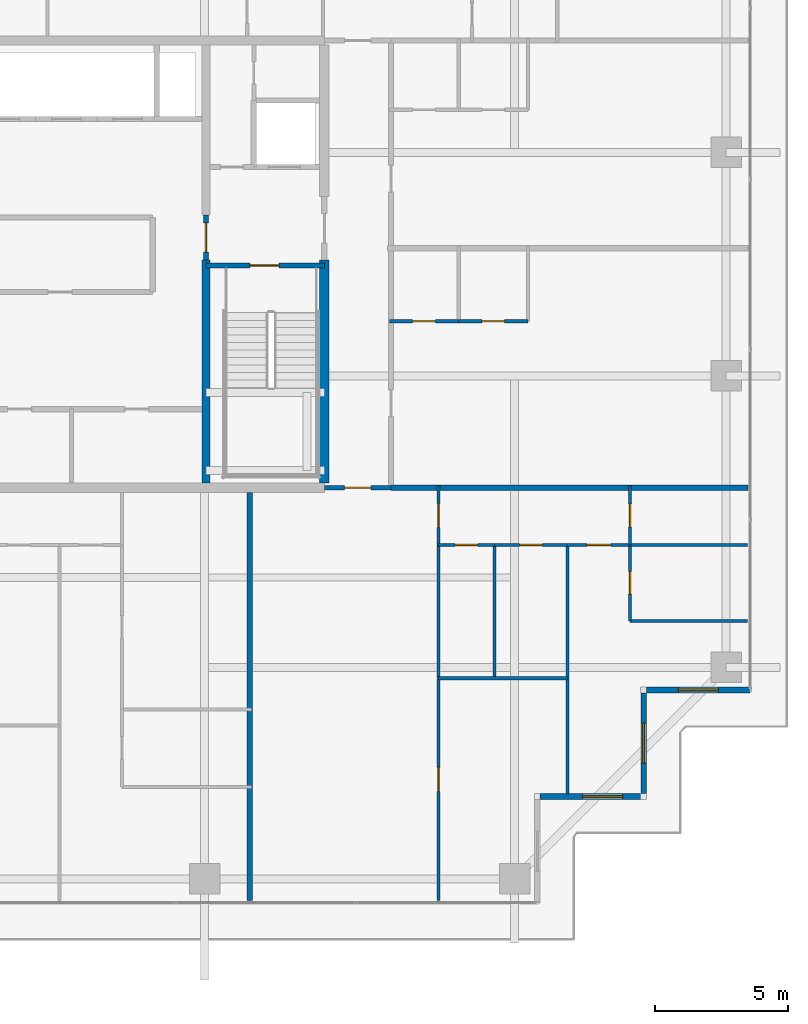
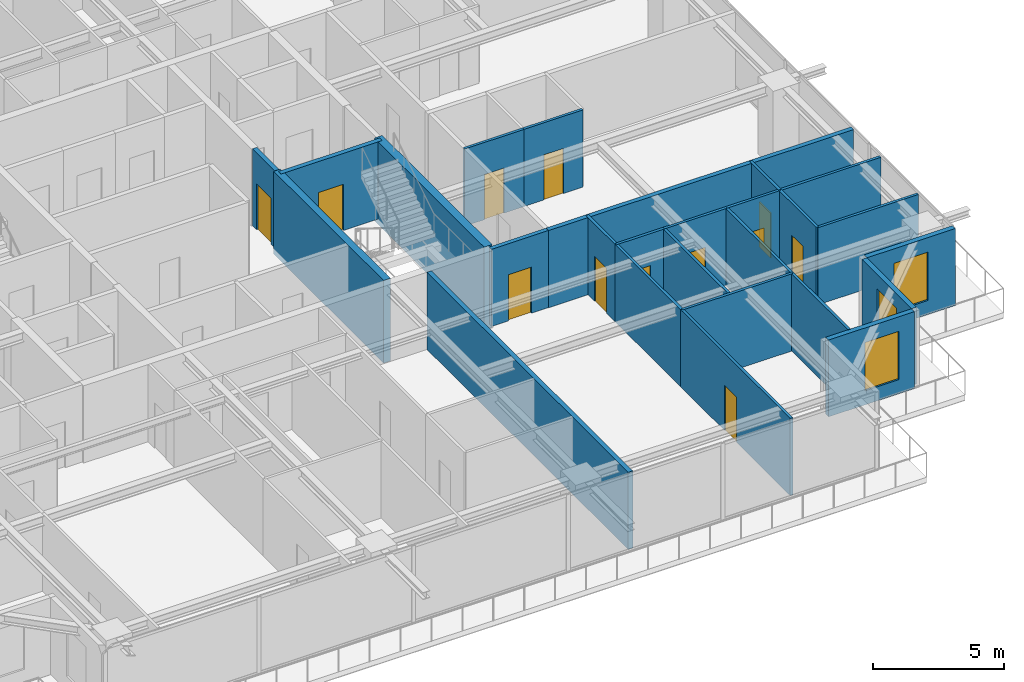
# One storey, part 29 of 38: 25 walls, 12 doors, 3 windows, 15 openings.
"""IFC4 building model written with IfcOpenShell, lengths in metres."""

from ifc_helpers import new_model, si_unit, direction, frame, frame_2d, origin, place, context, subcontext, project, spatial, rectangle, extrude, source, transform, mapped, material, layer, layer_set, type_object, element, fill, save


model = new_model("IFC4")

# Units and contexts
model_context = context("Model", 3, precision=1e-05, world=origin(), true_north=direction((0.0, 1.0)))
body_context = subcontext(model_context, "Body", "Model", "MODEL_VIEW")
ifc_project = project(units=[si_unit("LENGTHUNIT", "METRE"), si_unit("AREAUNIT", "SQUARE_METRE"), si_unit("VOLUMEUNIT", "CUBIC_METRE"), si_unit("PLANEANGLEUNIT", "RADIAN"), si_unit("MASSUNIT", "GRAM", prefix="KILO")], contexts=[model_context])

# Site, building, storey
site_placement = place(None, origin())
site = spatial("IfcSite", under=ifc_project, at=site_placement, CompositionType="ELEMENT")
building_placement = place(site_placement, origin())
building = spatial("IfcBuilding", under=site, at=building_placement, Name="Serunith Strait Residences", CompositionType="ELEMENT")
storey_placement = place(building_placement, frame((0.0, 0.0, 268.199951171875)))
storey = spatial("IfcBuildingStorey", under=building, at=storey_placement, Name="L67", CompositionType="ELEMENT", Elevation=268.199951171875)

# Wall, opening, window
ifc_material_1 = material(Name="Pale-Champagne Aluminium Insulated Panel", Category="aluminium")
ifc_layer_1 = layer(ifc_material_1, 0.219970703125, Name="Pale-Champagne Aluminium Insulated Panel")
ifc_layer_set_1 = layer_set([ifc_layer_1], Name="Pale-Champagne Aluminium Insulated Panel")
wall_type_1 = type_object("IfcWallType", Name="EW-ALUM-220", PredefinedType="ELEMENTEDWALL", material=ifc_layer_set_1)
wall_1_placement = place(storey_placement, frame((49.510009765625, 5.199951171875, 0.0), z_axis=(0.0, 0.0, 1.0), x_axis=(1.0, 0.0, 0.0)))
wall_1 = element("IfcWall", 1, at=wall_1_placement, inside=storey, type_object=wall_type_1, Name="L67 Girih Serrated Corner Wall 03", PredefinedType="ELEMENTEDWALL", context=body_context, shape_type="SweptSolid", body=[
    extrude(rectangle(XDim=3.780029296875, YDim=0.219970703125, at=frame_2d((1.89013671875, 0.0))), origin(), (0.0, 0.0, 1.0), 3.574951171875),
])
opening_1_placement = place(wall_1_placement, frame((1.595947265625, 0.0, 0.64990234375)))
opening_1 = element("IfcOpeningElement", 2, at=opening_1_placement, cuts=wall_1, Name="Opening W-05", PredefinedType="OPENING", context=body_context, shape_type="SweptSolid", body=[
    extrude(rectangle(XDim=1.5, YDim=2.25, at=frame_2d((0.75, 1.125))), frame((0.0, 0.1201171875, 0.0), z_axis=(0.0, -1.0, 0.0), x_axis=(1.0, 0.0, 0.0)), (0.0, 0.0, 1.0), 0.239990234375),
])
ifc_material_2 = material(Name="Ceramic-Fritted Operable Aluminium Window Glass", Category="aluminium")
window_type = type_object("IfcWindowType", Name="WIN-C5", PartitioningType="DOUBLE_PANEL_VERTICAL", PredefinedType="WINDOW", material=ifc_material_2)
shared_shape_1 = source(origin(), body_context, "Body", "SweptSolid", [
    extrude(rectangle(XDim=1.5, YDim=2.25, at=frame_2d((0.75, 1.125))), frame((0.0, 0.030029296875, 0.0), z_axis=(0.0, -1.0, 0.0), x_axis=(1.0, 0.0, 0.0)), (0.0, 0.0, 1.0), 0.06005859375),
])
window_1_placement = place(opening_1_placement, origin())
window_1 = element("IfcWindow", 3, at=window_1_placement, inside=storey, type_object=window_type, Name="L67 Corner Operable Fritted Window 03", OverallHeight=2.25, OverallWidth=1.5, PartitioningType="SINGLE_PANEL", PredefinedType="WINDOW", context=body_context, shape_type="MappedRepresentation", body=[
    mapped(shared_shape_1, transform((0.0, 0.0, 0.0), scale=1.0)),
])
fill(opening_1, window_1)

wall_2_placement = place(storey_placement, frame((53.39990234375, 5.31005859375, 0.0), z_axis=(0.0, 0.0, 1.0), x_axis=(0.0, 1.0, 0.0)))
wall_2 = element("IfcWall", 4, at=wall_2_placement, inside=storey, type_object=wall_type_1, Name="L67 Girih Serrated Corner Wall 04", PredefinedType="ELEMENTEDWALL", context=body_context, shape_type="SweptSolid", body=[
    extrude(rectangle(XDim=3.780029296875, YDim=0.219970703125, at=frame_2d((1.89013671875, 0.0))), origin(), (0.0, 0.0, 1.0), 3.574951171875),
])
opening_2_placement = place(wall_2_placement, frame((1.139892578125, 0.0, 0.64990234375)))
opening_2 = element("IfcOpeningElement", 5, at=opening_2_placement, cuts=wall_2, Name="Opening W-05", PredefinedType="OPENING", context=body_context, shape_type="SweptSolid", body=[
    extrude(rectangle(XDim=1.5, YDim=2.25, at=frame_2d((0.75, 1.125))), frame((0.0, 0.1201171875, 0.0), z_axis=(0.0, -1.0, 0.0), x_axis=(1.0, 0.0, 0.0)), (0.0, 0.0, 1.0), 0.239990234375),
])
window_2_placement = place(opening_2_placement, origin())
window_2 = element("IfcWindow", 6, at=window_2_placement, inside=storey, type_object=window_type, Name="L67 Corner Operable Fritted Window 04", OverallHeight=2.25, OverallWidth=1.5, PartitioningType="SINGLE_PANEL", PredefinedType="WINDOW", context=body_context, shape_type="MappedRepresentation", body=[
    mapped(shared_shape_1, transform((0.0, 0.0, 0.0), scale=1.0)),
])
fill(opening_2, window_2)

wall_3_placement = place(storey_placement, frame((53.510009765625, 9.199951171875, 0.0), z_axis=(0.0, 0.0, 1.0), x_axis=(1.0, 0.0, 0.0)))
wall_3 = element("IfcWall", 7, at=wall_3_placement, inside=storey, type_object=wall_type_1, Name="L67 Girih Serrated Corner Wall 05", PredefinedType="ELEMENTEDWALL", context=body_context, shape_type="SweptSolid", body=[
    extrude(rectangle(XDim=3.889892578125, YDim=0.219970703125, at=frame_2d((1.94482421875, 0.0))), origin(), (0.0, 0.0, 1.0), 3.574951171875),
])
opening_3_placement = place(wall_3_placement, frame((1.195068359375, 0.0, 0.64990234375)))
opening_3 = element("IfcOpeningElement", 8, at=opening_3_placement, cuts=wall_3, Name="Opening W-05", PredefinedType="OPENING", context=body_context, shape_type="SweptSolid", body=[
    extrude(rectangle(XDim=1.5, YDim=2.25, at=frame_2d((0.75, 1.125))), frame((0.0, 0.1201171875, 0.0), z_axis=(0.0, -1.0, 0.0), x_axis=(1.0, 0.0, 0.0)), (0.0, 0.0, 1.0), 0.239990234375),
])
window_3_placement = place(opening_3_placement, origin())
window_3 = element("IfcWindow", 9, at=window_3_placement, inside=storey, type_object=window_type, Name="L67 Corner Operable Fritted Window 05", OverallHeight=2.25, OverallWidth=1.5, PartitioningType="SINGLE_PANEL", PredefinedType="WINDOW", context=body_context, shape_type="MappedRepresentation", body=[
    mapped(shared_shape_1, transform((0.0, 0.0, 0.0), scale=1.0)),
])
fill(opening_3, window_3)

# Wall, opening, door
ifc_material_3 = material(Name="Fire-rated acoustic gypsum partition")
ifc_layer_2 = layer(ifc_material_3, 0.179931640625, Name="Fire-rated acoustic gypsum partition")
ifc_layer_set_2 = layer_set([ifc_layer_2], Name="Fire-rated acoustic gypsum partition")
wall_type_2 = type_object("IfcWallType", Name="IW-CORR-180", PredefinedType="PARTITIONING", material=ifc_layer_set_2)
wall_4_placement = place(storey_placement, frame((41.402099609375, 16.800048828125, 0.0), z_axis=(0.0, 0.0, 1.0), x_axis=(1.0, 0.0, 0.0)))
wall_4 = element("IfcWall", 10, at=wall_4_placement, inside=storey, type_object=wall_type_2, Name="L67 Partition Wall 028", PredefinedType="PARTITIONING", context=body_context, shape_type="SweptSolid", body=[
    extrude(rectangle(XDim=2.495849609375, YDim=0.179931640625, at=frame_2d((1.248046875, 0.0))), origin(), (0.0, 0.0, 1.0), 3.590087890625),
])
opening_4_placement = place(wall_4_placement, frame((0.748046875, 0.0, 0.0)))
opening_4 = element("IfcOpeningElement", 11, at=opening_4_placement, cuts=wall_4, Name="Opening D-APT1000", PredefinedType="OPENING", context=body_context, shape_type="SweptSolid", body=[
    extrude(rectangle(XDim=1.0, YDim=2.14990234375, at=frame_2d((0.5, 1.074951171875))), frame((0.0, 0.10009765625, 0.0), z_axis=(0.0, -1.0, 0.0), x_axis=(1.0, 0.0, 0.0)), (0.0, 0.0, 1.0), 0.199951171875),
])
ifc_material_4 = material(Name="Solid timber engineered fire door", Category="wood")
door_type_1 = type_object("IfcDoorType", Name="ID-APT-1000", OperationType="NOTDEFINED", PredefinedType="DOOR", material=ifc_material_4)
shared_shape_2 = source(origin(), body_context, "Body", "SweptSolid", [
    extrude(rectangle(XDim=1.0, YDim=2.14990234375, at=frame_2d((0.5, 1.074951171875))), frame((0.0, 0.02490234375, 0.0), z_axis=(0.0, -1.0, 0.0), x_axis=(1.0, 0.0, 0.0)), (0.0, 0.0, 1.0), 0.050048828125),
])
door_1_placement = place(opening_4_placement, origin())
door_1 = element("IfcDoor", 12, at=door_1_placement, inside=storey, type_object=door_type_1, Name="L67 Unit 02 Entrance Door", OperationType="SINGLE_SWING_LEFT", OverallHeight=2.14990234375, OverallWidth=1.0, PredefinedType="DOOR", context=body_context, shape_type="MappedRepresentation", body=[
    mapped(shared_shape_2, transform((0.0, 0.0, 0.0), scale=1.0)),
])
fill(opening_4, door_1)

ifc_material_5 = material(Name="Lightweight steel-stud gypsum partition", Category="steel")
ifc_layer_3 = layer(ifc_material_5, 0.1201171875, Name="Lightweight steel-stud gypsum partition")
ifc_layer_set_3 = layer_set([ifc_layer_3], Name="Lightweight steel-stud gypsum partition")
wall_type_3 = type_object("IfcWallType", Name="IW-PART-120", PredefinedType="PARTITIONING", material=ifc_layer_set_3)
wall_5_placement = place(storey_placement, frame((45.68994140625, 14.64990234375, 0.0), z_axis=(0.0, 0.0, 1.0), x_axis=(0.0, 1.0, 0.0)))
wall_5 = element("IfcWall", 13, at=wall_5_placement, inside=storey, type_object=wall_type_3, Name="L67 Partition Wall 053", PredefinedType="PARTITIONING", context=body_context, shape_type="SweptSolid", body=[
    extrude(rectangle(XDim=2.210205078125, YDim=0.1201171875, at=frame_2d((1.10498046875, 0.0))), origin(), (0.0, 0.0, 1.0), 3.590087890625),
])
opening_5_placement = place(wall_5_placement, frame((0.655029296875, 0.0, 0.0)))
opening_5 = element("IfcOpeningElement", 14, at=opening_5_placement, cuts=wall_5, Name="Opening D-RM900", PredefinedType="OPENING", context=body_context, shape_type="SweptSolid", body=[
    extrude(rectangle(XDim=0.89990234375, YDim=2.10009765625, at=frame_2d((0.449951171875, 1.050048828125))), frame((0.0, 0.070068359375, 0.0), z_axis=(0.0, -1.0, 0.0), x_axis=(1.0, 0.0, 0.0)), (0.0, 0.0, 1.0), 0.14013671875),
])
ifc_material_6 = material(Name="Engineered timber flush bedroom door", Category="wood")
door_type_2 = type_object("IfcDoorType", Name="ID-ROOM-900", OperationType="NOTDEFINED", PredefinedType="DOOR", material=ifc_material_6)
shared_shape_3 = source(origin(), body_context, "Body", "SweptSolid", [
    extrude(rectangle(XDim=0.89990234375, YDim=2.10009765625, at=frame_2d((0.449951171875, 1.050048828125))), frame((0.0, 0.02490234375, 0.0), z_axis=(0.0, -1.0, 0.0), x_axis=(1.0, 0.0, 0.0)), (0.0, 0.0, 1.0), 0.050048828125),
])
door_2_placement = place(opening_5_placement, origin())
door_2 = element("IfcDoor", 15, at=door_2_placement, inside=storey, type_object=door_type_2, Name="L67 Hall E 6702 Door", OperationType="SINGLE_SWING_RIGHT", OverallHeight=2.10009765625, OverallWidth=0.89990234375, PredefinedType="DOOR", context=body_context, shape_type="MappedRepresentation", body=[
    mapped(shared_shape_3, transform((0.0, 0.0, 0.0), scale=1.0)),
])
fill(opening_5, door_2)

wall_6_placement = place(storey_placement, frame((45.68994140625, 1.294921875, 0.0), z_axis=(0.0, 0.0, 1.0), x_axis=(0.0, 1.0, 0.0)))
wall_6 = element("IfcWall", 16, at=wall_6_placement, inside=storey, type_object=wall_type_3, Name="L67 Partition Wall 054", PredefinedType="PARTITIONING", context=body_context, shape_type="SweptSolid", body=[
    extrude(rectangle(XDim=8.343017578125, YDim=0.1201171875, at=frame_2d((4.17138671875, 0.0))), origin(), (0.0, 0.0, 1.0), 3.590087890625),
])
opening_6_placement = place(wall_6_placement, frame((4.093994140625, 0.0, 0.0)))
opening_6 = element("IfcOpeningElement", 17, at=opening_6_placement, cuts=wall_6, Name="Opening D-RM900", PredefinedType="OPENING", context=body_context, shape_type="SweptSolid", body=[
    extrude(rectangle(XDim=0.89990234375, YDim=2.10009765625, at=frame_2d((0.449951171875, 1.050048828125))), frame((0.0, 0.070068359375, 0.0), z_axis=(0.0, -1.0, 0.0), x_axis=(1.0, 0.0, 0.0)), (0.0, 0.0, 1.0), 0.14013671875),
])
door_3_placement = place(opening_6_placement, origin())
door_3 = element("IfcDoor", 18, at=door_3_placement, inside=storey, type_object=door_type_2, Name="L67 Formal Dining Room 1 6702 Door", OperationType="SINGLE_SWING_LEFT", OverallHeight=2.10009765625, OverallWidth=0.89990234375, PredefinedType="DOOR", context=body_context, shape_type="MappedRepresentation", body=[
    mapped(shared_shape_3, transform((0.0, 0.0, 0.0), scale=1.0)),
])
fill(opening_6, door_3)

# Walls
wall_7_placement = place(storey_placement, frame((45.68994140625, 9.639892578125, 0.0), z_axis=(0.0, 0.0, 1.0), x_axis=(0.0, 1.0, 0.0)))
element("IfcWall", 19, at=wall_7_placement, inside=storey, type_object=wall_type_3, Name="L67 Partition Wall 055", PredefinedType="PARTITIONING", context=body_context, shape_type="SweptSolid", body=[
    extrude(rectangle(XDim=5.008056640625, YDim=0.1201171875, at=frame_2d((2.50390625, 0.0))), origin(), (0.0, 0.0, 1.0), 3.590087890625),
])
wall_8_placement = place(storey_placement, frame((45.68994140625, 9.637939453125, 0.0), z_axis=(0.0, 0.0, 1.0), x_axis=(1.0, 0.0, 0.0)))
element("IfcWall", 20, at=wall_8_placement, inside=storey, type_object=wall_type_3, Name="L67 Partition Wall 056", PredefinedType="PARTITIONING", context=body_context, shape_type="SweptSolid", body=[
    extrude(rectangle(XDim=4.85009765625, YDim=0.1201171875, at=frame_2d((2.425048828125, 0.0))), origin(), (0.0, 0.0, 1.0), 3.590087890625),
])
wall_9_placement = place(storey_placement, frame((50.5400390625, 5.294921875, 0.0), z_axis=(0.0, 0.0, 1.0), x_axis=(0.0, 1.0, 0.0)))
element("IfcWall", 21, at=wall_9_placement, inside=storey, type_object=wall_type_3, Name="L67 Partition Wall 057", PredefinedType="PARTITIONING", context=body_context, shape_type="SweptSolid", body=[
    extrude(rectangle(XDim=9.35498046875, YDim=0.1201171875, at=frame_2d((4.677490234375, 0.0))), origin(), (0.0, 0.0, 1.0), 3.590087890625),
])
wall_10_placement = place(storey_placement, frame((47.7900390625, 9.637939453125, 0.0), z_axis=(0.0, 0.0, 1.0), x_axis=(0.0, 1.0, 0.0)))
element("IfcWall", 22, at=wall_10_placement, inside=storey, type_object=wall_type_3, Name="L67 Partition Wall 058", PredefinedType="PARTITIONING", context=body_context, shape_type="SweptSolid", body=[
    extrude(rectangle(XDim=5.011962890625, YDim=0.1201171875, at=frame_2d((2.505859375, 0.0))), origin(), (0.0, 0.0, 1.0), 3.590087890625),
])

# Wall, opening, door
wall_11_placement = place(storey_placement, frame((45.68994140625, 14.64990234375, 0.0), z_axis=(0.0, 0.0, 1.0), x_axis=(1.0, 0.0, 0.0)))
wall_11 = element("IfcWall", 23, at=wall_11_placement, inside=storey, type_object=wall_type_3, Name="L67 Partition Wall 059", PredefinedType="PARTITIONING", context=body_context, shape_type="SweptSolid", body=[
    extrude(rectangle(XDim=2.10009765625, YDim=0.1201171875, at=frame_2d((1.050048828125, 0.0))), origin(), (0.0, 0.0, 1.0), 3.590087890625),
])
opening_7_placement = place(wall_11_placement, frame((0.625, 0.0, 0.0)))
opening_7 = element("IfcOpeningElement", 24, at=opening_7_placement, cuts=wall_11, Name="Opening D-BTH850", PredefinedType="OPENING", context=body_context, shape_type="SweptSolid", body=[
    extrude(rectangle(XDim=0.85009765625, YDim=2.10009765625, at=frame_2d((0.425048828125, 1.050048828125))), frame((0.0, 0.070068359375, 0.0), z_axis=(0.0, -1.0, 0.0), x_axis=(1.0, 0.0, 0.0)), (0.0, 0.0, 1.0), 0.14013671875),
])
ifc_material_7 = material(Name="Moisture-resistant timber bathroom door", Category="wood")
door_type_3 = type_object("IfcDoorType", Name="ID-BATH-850", OperationType="NOTDEFINED", PredefinedType="DOOR", material=ifc_material_7)
shared_shape_4 = source(origin(), body_context, "Body", "SweptSolid", [
    extrude(rectangle(XDim=0.85009765625, YDim=2.10009765625, at=frame_2d((0.425048828125, 1.050048828125))), frame((0.0, 0.02490234375, 0.0), z_axis=(0.0, -1.0, 0.0), x_axis=(1.0, 0.0, 0.0)), (0.0, 0.0, 1.0), 0.050048828125),
])
door_4_placement = place(opening_7_placement, origin())
door_4 = element("IfcDoor", 25, at=door_4_placement, inside=storey, type_object=door_type_3, Name="L67 Bathroom 6702 Door", OperationType="SINGLE_SWING_RIGHT", OverallHeight=2.10009765625, OverallWidth=0.85009765625, PredefinedType="DOOR", context=body_context, shape_type="MappedRepresentation", body=[
    mapped(shared_shape_4, transform((0.0, 0.0, 0.0), scale=1.0)),
])
fill(opening_7, door_4)

wall_12_placement = place(storey_placement, frame((47.7919921875, 14.64990234375, 0.0), z_axis=(0.0, 0.0, 1.0), x_axis=(1.0, 0.0, 0.0)))
wall_12 = element("IfcWall", 26, at=wall_12_placement, inside=storey, type_object=wall_type_3, Name="L67 Partition Wall 060", PredefinedType="PARTITIONING", context=body_context, shape_type="SweptSolid", body=[
    extrude(rectangle(XDim=2.748046875, YDim=0.1201171875, at=frame_2d((1.3740234375, 0.0))), origin(), (0.0, 0.0, 1.0), 3.590087890625),
])
opening_8_placement = place(wall_12_placement, frame((0.948974609375, 0.0, 0.0)))
opening_8 = element("IfcOpeningElement", 27, at=opening_8_placement, cuts=wall_12, Name="Opening D-RM850", PredefinedType="OPENING", context=body_context, shape_type="SweptSolid", body=[
    extrude(rectangle(XDim=0.85009765625, YDim=2.10009765625, at=frame_2d((0.425048828125, 1.050048828125))), frame((0.0, 0.070068359375, 0.0), z_axis=(0.0, -1.0, 0.0), x_axis=(1.0, 0.0, 0.0)), (0.0, 0.0, 1.0), 0.14013671875),
])
ifc_material_8 = material(Name="Engineered timber flush study and kitchen door", Category="wood")
door_type_4 = type_object("IfcDoorType", Name="ID-ROOM-850", OperationType="NOTDEFINED", PredefinedType="DOOR", material=ifc_material_8)
door_5_placement = place(opening_8_placement, origin())
door_5 = element("IfcDoor", 28, at=door_5_placement, inside=storey, type_object=door_type_4, Name="L67 Kitchen 6702 Door", OperationType="SINGLE_SWING_LEFT", OverallHeight=2.10009765625, OverallWidth=0.85009765625, PredefinedType="DOOR", context=body_context, shape_type="MappedRepresentation", body=[
    mapped(shared_shape_4, transform((0.0, 0.0, 0.0), scale=1.0)),
])
fill(opening_8, door_5)

wall_13_placement = place(storey_placement, frame((50.5419921875, 14.64990234375, 0.0), z_axis=(0.0, 0.0, 1.0), x_axis=(1.0, 0.0, 0.0)))
wall_13 = element("IfcWall", 29, at=wall_13_placement, inside=storey, type_object=wall_type_3, Name="L67 Partition Wall 061", PredefinedType="PARTITIONING", context=body_context, shape_type="SweptSolid", body=[
    extrude(rectangle(XDim=2.347900390625, YDim=0.1201171875, at=frame_2d((1.173828125, 0.0))), origin(), (0.0, 0.0, 1.0), 3.590087890625),
])
opening_9_placement = place(wall_13_placement, frame((0.72412109375, 0.0, 0.0)))
opening_9 = element("IfcOpeningElement", 30, at=opening_9_placement, cuts=wall_13, Name="Opening D-RM900", PredefinedType="OPENING", context=body_context, shape_type="SweptSolid", body=[
    extrude(rectangle(XDim=0.89990234375, YDim=2.10009765625, at=frame_2d((0.449951171875, 1.050048828125))), frame((0.0, 0.070068359375, 0.0), z_axis=(0.0, -1.0, 0.0), x_axis=(1.0, 0.0, 0.0)), (0.0, 0.0, 1.0), 0.14013671875),
])
door_6_placement = place(opening_9_placement, origin())
door_6 = element("IfcDoor", 31, at=door_6_placement, inside=storey, type_object=door_type_2, Name="L67 Master Bedroom E 6702 Door", OperationType="SINGLE_SWING_RIGHT", OverallHeight=2.10009765625, OverallWidth=0.89990234375, PredefinedType="DOOR", context=body_context, shape_type="MappedRepresentation", body=[
    mapped(shared_shape_3, transform((0.0, 0.0, 0.0), scale=1.0)),
])
fill(opening_9, door_6)

# Walls
wall_14_placement = place(storey_placement, frame((52.889892578125, 11.79296875, 0.0), z_axis=(0.0, 0.0, 1.0), x_axis=(1.0, 0.0, 0.0)))
element("IfcWall", 32, at=wall_14_placement, inside=storey, type_object=wall_type_3, Name="L67 Partition Wall 062", PredefinedType="PARTITIONING", context=body_context, shape_type="SweptSolid", body=[
    extrude(rectangle(XDim=4.4150390625, YDim=0.1201171875, at=frame_2d((2.20751953125, 0.0))), origin(), (0.0, 0.0, 1.0), 3.590087890625),
])
wall_15_placement = place(storey_placement, frame((52.89208984375, 14.64990234375, 0.0), z_axis=(0.0, 0.0, 1.0), x_axis=(1.0, 0.0, 0.0)))
element("IfcWall", 33, at=wall_15_placement, inside=storey, type_object=wall_type_3, Name="L67 Partition Wall 063", PredefinedType="PARTITIONING", context=body_context, shape_type="SweptSolid", body=[
    extrude(rectangle(XDim=4.412841796875, YDim=0.1201171875, at=frame_2d((2.20654296875, 0.0))), origin(), (0.0, 0.0, 1.0), 3.590087890625),
])

# Wall, opening, door
wall_16_placement = place(storey_placement, frame((52.889892578125, 11.79296875, 0.0), z_axis=(0.0, 0.0, 1.0), x_axis=(0.0, 1.0, 0.0)))
wall_16 = element("IfcWall", 34, at=wall_16_placement, inside=storey, type_object=wall_type_3, Name="L67 Partition Wall 064", PredefinedType="PARTITIONING", context=body_context, shape_type="SweptSolid", body=[
    extrude(rectangle(XDim=2.85693359375, YDim=0.1201171875, at=frame_2d((1.428466796875, 0.0))), origin(), (0.0, 0.0, 1.0), 3.590087890625),
])
opening_10_placement = place(wall_16_placement, frame((1.00390625, 0.0, 0.0)))
opening_10 = element("IfcOpeningElement", 35, at=opening_10_placement, cuts=wall_16, Name="Opening D-BTH850", PredefinedType="OPENING", context=body_context, shape_type="SweptSolid", body=[
    extrude(rectangle(XDim=0.85009765625, YDim=2.10009765625, at=frame_2d((0.425048828125, 1.050048828125))), frame((0.0, 0.070068359375, 0.0), z_axis=(0.0, -1.0, 0.0), x_axis=(1.0, 0.0, 0.0)), (0.0, 0.0, 1.0), 0.14013671875),
])
door_7_placement = place(opening_10_placement, origin())
door_7 = element("IfcDoor", 36, at=door_7_placement, inside=storey, type_object=door_type_3, Name="L67 En-suite Bathroom E 6702 Door", OperationType="SINGLE_SWING_LEFT", OverallHeight=2.10009765625, OverallWidth=0.85009765625, PredefinedType="DOOR", context=body_context, shape_type="MappedRepresentation", body=[
    mapped(shared_shape_4, transform((0.0, 0.0, 0.0), scale=1.0)),
])
fill(opening_10, door_7)

wall_17_placement = place(storey_placement, frame((52.889892578125, 14.652099609375, 0.0), z_axis=(0.0, 0.0, 1.0), x_axis=(0.0, 1.0, 0.0)))
wall_17 = element("IfcWall", 37, at=wall_17_placement, inside=storey, type_object=wall_type_3, Name="L67 Partition Wall 065", PredefinedType="PARTITIONING", context=body_context, shape_type="SweptSolid", body=[
    extrude(rectangle(XDim=2.2080078125, YDim=0.1201171875, at=frame_2d((1.10400390625, 0.0))), origin(), (0.0, 0.0, 1.0), 3.590087890625),
])
opening_11_placement = place(wall_17_placement, frame((0.678955078125, 0.0, 0.0)))
opening_11 = element("IfcOpeningElement", 38, at=opening_11_placement, cuts=wall_17, Name="Opening D-RM850", PredefinedType="OPENING", context=body_context, shape_type="SweptSolid", body=[
    extrude(rectangle(XDim=0.85009765625, YDim=2.10009765625, at=frame_2d((0.425048828125, 1.050048828125))), frame((0.0, 0.070068359375, 0.0), z_axis=(0.0, -1.0, 0.0), x_axis=(1.0, 0.0, 0.0)), (0.0, 0.0, 1.0), 0.14013671875),
])
door_8_placement = place(opening_11_placement, origin())
door_8 = element("IfcDoor", 39, at=door_8_placement, inside=storey, type_object=door_type_4, Name="L67 Wardrobe E 6702 Door", OperationType="SINGLE_SWING_RIGHT", OverallHeight=2.10009765625, OverallWidth=0.85009765625, PredefinedType="DOOR", context=body_context, shape_type="MappedRepresentation", body=[
    mapped(shared_shape_4, transform((0.0, 0.0, 0.0), scale=1.0)),
])
fill(opening_11, door_8)

wall_18_placement = place(storey_placement, frame((49.050048828125, 23.050048828125, 0.0), z_axis=(0.0, 0.0, 1.0), x_axis=(-1.0, 0.0, 0.0)))
wall_18 = element("IfcWall", 40, at=wall_18_placement, inside=storey, type_object=wall_type_3, Name="L67 Partition Wall 100", PredefinedType="PARTITIONING", context=body_context, shape_type="SweptSolid", body=[
    extrude(rectangle(XDim=2.60009765625, YDim=0.1201171875, at=frame_2d((1.300048828125, 0.0))), origin(), (0.0, 0.0, 1.0), 3.590087890625),
])
opening_12_placement = place(wall_18_placement, frame((0.875, 0.0, 0.0)))
opening_12 = element("IfcOpeningElement", 41, at=opening_12_placement, cuts=wall_18, Name="Opening D-RM850", PredefinedType="OPENING", context=body_context, shape_type="SweptSolid", body=[
    extrude(rectangle(XDim=0.85009765625, YDim=2.10009765625, at=frame_2d((0.425048828125, 1.050048828125))), frame((0.0, 0.070068359375, 0.0), z_axis=(0.0, -1.0, 0.0), x_axis=(1.0, 0.0, 0.0)), (0.0, 0.0, 1.0), 0.14013671875),
])
door_9_placement = place(opening_12_placement, origin())
door_9 = element("IfcDoor", 42, at=door_9_placement, inside=storey, type_object=door_type_4, Name="L67 Kitchen 6706 Door", OperationType="SINGLE_SWING_RIGHT", OverallHeight=2.10009765625, OverallWidth=0.85009765625, PredefinedType="DOOR", context=body_context, shape_type="MappedRepresentation", body=[
    mapped(shared_shape_4, transform((0.0, 0.0, 0.0), scale=1.0)),
])
fill(opening_12, door_9)

wall_19_placement = place(storey_placement, frame((46.447998046875, 23.050048828125, 0.0), z_axis=(0.0, 0.0, 1.0), x_axis=(-1.0, 0.0, 0.0)))
wall_19 = element("IfcWall", 43, at=wall_19_placement, inside=storey, type_object=wall_type_3, Name="L67 Partition Wall 101", PredefinedType="PARTITIONING", context=body_context, shape_type="SweptSolid", body=[
    extrude(rectangle(XDim=2.60791015625, YDim=0.1201171875, at=frame_2d((1.303955078125, 0.0))), origin(), (0.0, 0.0, 1.0), 3.590087890625),
])
opening_13_placement = place(wall_19_placement, frame((0.87890625, 0.0, 0.0)))
opening_13 = element("IfcOpeningElement", 44, at=opening_13_placement, cuts=wall_19, Name="Opening D-BTH850", PredefinedType="OPENING", context=body_context, shape_type="SweptSolid", body=[
    extrude(rectangle(XDim=0.85009765625, YDim=2.10009765625, at=frame_2d((0.425048828125, 1.050048828125))), frame((0.0, 0.070068359375, 0.0), z_axis=(0.0, -1.0, 0.0), x_axis=(1.0, 0.0, 0.0)), (0.0, 0.0, 1.0), 0.14013671875),
])
door_10_placement = place(opening_13_placement, origin())
door_10 = element("IfcDoor", 45, at=door_10_placement, inside=storey, type_object=door_type_3, Name="L67 Bathroom 6706 Door", OperationType="SINGLE_SWING_LEFT", OverallHeight=2.10009765625, OverallWidth=0.85009765625, PredefinedType="DOOR", context=body_context, shape_type="MappedRepresentation", body=[
    mapped(shared_shape_4, transform((0.0, 0.0, 0.0), scale=1.0)),
])
fill(opening_13, door_10)

# Walls
ifc_material_9 = material(Name="Twin-stud acoustic gypsum board partition")
ifc_layer_4 = layer(ifc_material_9, 0.199951171875, Name="Twin-stud acoustic gypsum board partition")
ifc_layer_set_4 = layer_set([ifc_layer_4], Name="Twin-stud acoustic gypsum board partition")
wall_type_4 = type_object("IfcWallType", Name="IW-PARTY-200", PredefinedType="PARTITIONING", material=ifc_layer_set_4)
wall_20_placement = place(storey_placement, frame((38.60009765625, 1.281982421875, 0.0), z_axis=(0.0, 0.0, 1.0), x_axis=(0.0, 1.0, 0.0)))
element("IfcWall", 46, at=wall_20_placement, inside=storey, type_object=wall_type_4, Name="L67 Partition Wall 018", PredefinedType="PARTITIONING", context=body_context, shape_type="SweptSolid", body=[
    extrude(rectangle(XDim=15.343017578125, YDim=0.199951171875, at=frame_2d((7.67138671875, 0.0))), origin(), (0.0, 0.0, 1.0), 3.590087890625),
])
wall_21_placement = place(storey_placement, frame((43.89990234375, 16.800048828125, 0.0), z_axis=(0.0, 0.0, 1.0), x_axis=(1.0, 0.0, 0.0)))
element("IfcWall", 47, at=wall_21_placement, inside=storey, type_object=wall_type_4, Name="L67 Partition Wall 022", PredefinedType="PARTITIONING", context=body_context, shape_type="SweptSolid", body=[
    extrude(rectangle(XDim=13.418212890625, YDim=0.199951171875, at=frame_2d((6.708984375, 0.0))), origin(), (0.0, 0.0, 1.0), 3.590087890625),
])

# Wall, opening, door
ifc_material_10 = material(Name="Autoclaved aerated concrete blockwork", Category="masonry")
ifc_layer_5 = layer(ifc_material_10, 0.199951171875, Name="Autoclaved aerated concrete blockwork")
ifc_layer_set_5 = layer_set([ifc_layer_5], Name="Autoclaved aerated concrete blockwork")
wall_type_5 = type_object("IfcWallType", Name="IW-SHAFT-200", PredefinedType="STANDARD", material=ifc_layer_set_5)
wall_22_placement = place(storey_placement, frame((36.949951171875, 25.14990234375, 0.0), z_axis=(0.0, 0.0, 1.0), x_axis=(1.0, 0.0, 0.0)))
wall_22 = element("IfcWall", 48, at=wall_22_placement, inside=storey, type_object=wall_type_5, Name="L67 ST-2 North Shaft Wall", PredefinedType="STANDARD", context=body_context, shape_type="SweptSolid", body=[
    extrude(rectangle(XDim=4.449951171875, YDim=0.199951171875, at=frame_2d((2.22509765625, 0.0))), origin(), (0.0, 0.0, 1.0), 3.590087890625),
])
opening_14_placement = place(wall_22_placement, frame((1.64990234375, 0.0, 0.0)))
opening_14 = element("IfcOpeningElement", 49, at=opening_14_placement, cuts=wall_22, Name="Opening FD-1100", PredefinedType="OPENING", context=body_context, shape_type="SweptSolid", body=[
    extrude(rectangle(XDim=1.10009765625, YDim=2.14990234375, at=frame_2d((0.550048828125, 1.074951171875))), frame((0.0, 0.10986328125, 0.0), z_axis=(0.0, -1.0, 0.0), x_axis=(1.0, 0.0, 0.0)), (0.0, 0.0, 1.0), 0.219970703125),
])
ifc_material_11 = material(Name="Galvanised steel fire door leaf", Category="steel")
door_type_5 = type_object("IfcDoorType", Name="FD-STAIR-1100", OperationType="NOTDEFINED", PredefinedType="DOOR", material=ifc_material_11)
shared_shape_5 = source(origin(), body_context, "Body", "SweptSolid", [
    extrude(rectangle(XDim=1.10009765625, YDim=2.14990234375, at=frame_2d((0.550048828125, 1.074951171875))), frame((0.0, 0.02490234375, 0.0), z_axis=(0.0, -1.0, 0.0), x_axis=(1.0, 0.0, 0.0)), (0.0, 0.0, 1.0), 0.050048828125),
])
door_11_placement = place(opening_14_placement, origin())
door_11 = element("IfcDoor", 50, at=door_11_placement, inside=storey, type_object=door_type_5, Name="L67 ST-2 Escape Stair Door", OperationType="SINGLE_SWING_RIGHT", OverallHeight=2.14990234375, OverallWidth=1.10009765625, PredefinedType="DOOR", context=body_context, shape_type="MappedRepresentation", body=[
    mapped(shared_shape_5, transform((0.0, 0.0, 0.0), scale=1.0)),
])
fill(opening_14, door_11)

wall_23_placement = place(storey_placement, frame((36.949951171875, 25.35205078125, 0.0), z_axis=(0.0, 0.0, 1.0), x_axis=(0.0, 1.0, 0.0)))
wall_23 = element("IfcWall", 51, at=wall_23_placement, inside=storey, type_object=wall_type_5, Name="L67 Partition Wall 010", PredefinedType="STANDARD", context=body_context, shape_type="SweptSolid", body=[
    extrude(rectangle(XDim=1.696044921875, YDim=0.199951171875, at=frame_2d((0.84814453125, 0.0))), origin(), (0.0, 0.0, 1.0), 3.590087890625),
])
opening_15_placement = place(wall_23_placement, frame((0.298095703125, 0.0, 0.0)))
opening_15 = element("IfcOpeningElement", 52, at=opening_15_placement, cuts=wall_23, Name="Opening FD-FFL", PredefinedType="OPENING", context=body_context, shape_type="SweptSolid", body=[
    extrude(rectangle(XDim=1.10009765625, YDim=2.14990234375, at=frame_2d((0.550048828125, 1.074951171875))), frame((0.0, 0.10986328125, 0.0), z_axis=(0.0, -1.0, 0.0), x_axis=(1.0, 0.0, 0.0)), (0.0, 0.0, 1.0), 0.219970703125),
])
ifc_material_12 = material(Name="Glazed steel smoke-lobby fire door", Category="steel")
door_type_6 = type_object("IfcDoorType", Name="FD-FFL-1100", OperationType="NOTDEFINED", PredefinedType="DOOR", material=ifc_material_12)
door_12_placement = place(opening_15_placement, origin())
door_12 = element("IfcDoor", 53, at=door_12_placement, inside=storey, type_object=door_type_6, Name="L67 FFL-2 Lift Lobby Door", OperationType="SINGLE_SWING_LEFT", OverallHeight=2.14990234375, OverallWidth=1.10009765625, PredefinedType="DOOR", context=body_context, shape_type="MappedRepresentation", body=[
    mapped(shared_shape_5, transform((0.0, 0.0, 0.0), scale=1.0)),
])
fill(opening_15, door_12)

# Walls
ifc_material_13 = material(Name="Concrete C60/75", Category="concrete")
ifc_layer_6 = layer(ifc_material_13, 0.300048828125, Name="Concrete C60/75")
ifc_layer_set_6 = layer_set([ifc_layer_6], Name="Concrete C60/75")
wall_type_6 = type_object("IfcWallType", Name="SW-300-C60", PredefinedType="SHEAR", material=ifc_layer_set_6)
wall_24_placement = place(storey_placement, frame((36.949951171875, 16.97509765625, -0.260009765625), z_axis=(0.0, 0.0, 1.0), x_axis=(0.0, 1.0, 0.0)))
element("IfcWall", 54, at=wall_24_placement, inside=storey, type_object=wall_type_6, Name="L67 Core Internal East Web South Pier", PredefinedType="SHEAR", context=body_context, shape_type="SweptSolid", body=[
    extrude(rectangle(XDim=8.375, YDim=0.300048828125, at=frame_2d((4.1875, 0.0))), origin(), (0.0, 0.0, 1.0), 3.84814453125),
])
ifc_layer_7 = layer(ifc_material_13, 0.35009765625, Name="Concrete C60/75")
ifc_layer_set_7 = layer_set([ifc_layer_7], Name="Concrete C60/75")
wall_type_7 = type_object("IfcWallType", Name="SW-350-C60", PredefinedType="SHEAR", material=ifc_layer_set_7)
wall_25_placement = place(storey_placement, frame((41.39990234375, 16.97509765625, -0.260009765625), z_axis=(0.0, 0.0, 1.0), x_axis=(0.0, 1.0, 0.0)))
element("IfcWall", 55, at=wall_25_placement, inside=storey, type_object=wall_type_7, Name="L67 Core East Shear Wall South Pier", PredefinedType="SHEAR", context=body_context, shape_type="SweptSolid", body=[
    extrude(rectangle(XDim=8.375, YDim=0.35009765625, at=frame_2d((4.1875, 0.0))), origin(), (0.0, 0.0, 1.0), 3.84814453125),
])

save(model, "model.ifc")
